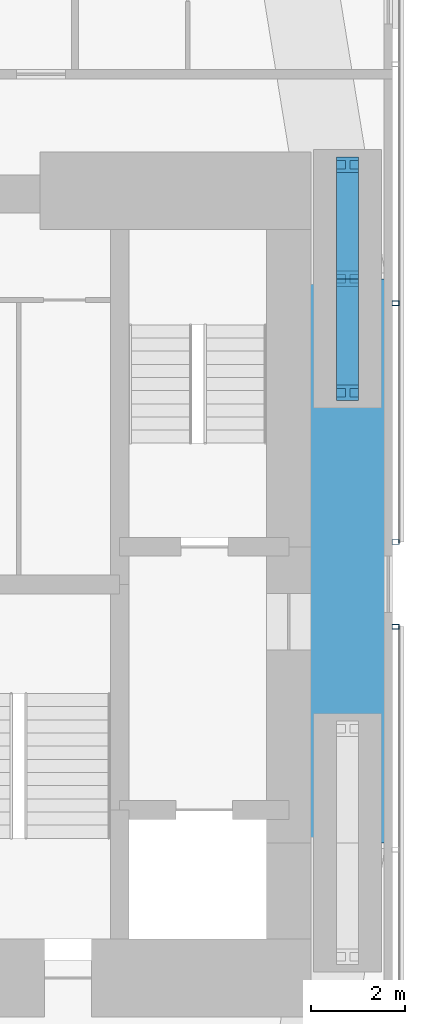
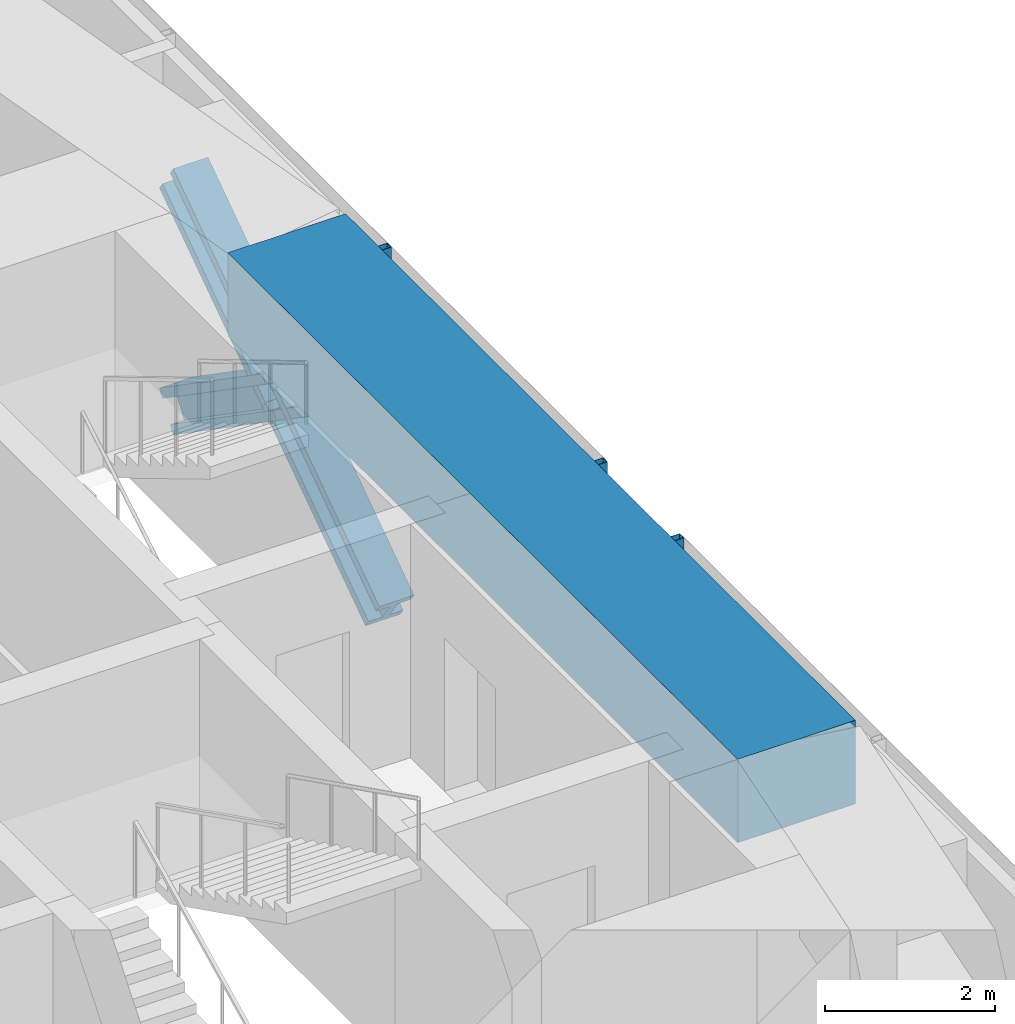
# One storey, part 10 of 24: 7 members, 1 beam, 2 elements without a shape of their own.
"""IFC4 building model written with IfcOpenShell, lengths in metres."""

from ifc_helpers import new_model, si_unit, direction, frame, origin, origin_2d, place, context, subcontext, project, spatial, rectangle, hollow_rectangle, i_section, extrude, material, material_profile, profile_set, type_object, element, aggregate, save


model = new_model("IFC4")

# Units and contexts
model_context = context("Model", 3, precision=1e-05, world=origin(), true_north=direction((0.0, 1.0)))
body_context = subcontext(model_context, "Body", "Model", "MODEL_VIEW")
ifc_project = project(units=[si_unit("LENGTHUNIT", "METRE"), si_unit("AREAUNIT", "SQUARE_METRE"), si_unit("VOLUMEUNIT", "CUBIC_METRE"), si_unit("PLANEANGLEUNIT", "RADIAN"), si_unit("MASSUNIT", "GRAM", prefix="KILO")], contexts=[model_context])

# Site, building, storey
site_placement = place(None, origin())
site = spatial("IfcSite", under=ifc_project, at=site_placement, CompositionType="ELEMENT")
building_placement = place(site_placement, origin())
building = spatial("IfcBuilding", under=site, at=building_placement, Name="Jalousie Tower", CompositionType="ELEMENT")
storey_placement = place(building_placement, frame((0.0, 0.0, 47.800048828125)))
storey = spatial("IfcBuildingStorey", under=building, at=storey_placement, Name="L12", CompositionType="ELEMENT", Elevation=47.800048828125)

# Members
ifc_material_1 = material(Name="Steel ASTM A992 Grade 50", Category="steel")
ifc_material_profile_1 = material_profile(ifc_material_1, i_section(OverallWidth=0.472412109375, OverallDepth=0.5791015625, WebThickness=0.094970703125, FlangeThickness=0.1298828125, at=origin_2d()), Name="W14X808")
ifc_profile_set_1 = profile_set([ifc_material_profile_1], Name="Steel ASTM A992 Grade 50")
member_type_1 = type_object("IfcMemberType", Name="PERIMETER BRACE W14X808", PredefinedType="BRACE", material=ifc_profile_set_1)
for number, where, z_axis, x_axis, name in (
    (1, (45.050048828125, 22.574951171875, -0.60009765625), (0.0, 0.822800062329, 0.568330940062), (-1.0, 0.0, 0.0), "Perimeter brace 07 L12 part 1"),
    (2, (45.050048828125, 25.0, 1.074951171875), (0.0, 0.822800062329, 0.568330940062), (-1.0, 0.0, 0.0), "Perimeter brace 07 L12 part 2"),
    (3, (45.050048828125, 27.425048828125, -0.60009765625), (0.0, -0.822800062329, 0.568330940062), (1.0, 0.0, 0.0), "Perimeter brace 07 L12 part 3"),
    (4, (45.050048828125, 25.0, 1.074951171875), (0.0, -0.822800062329, 0.568330940062), (1.0, 0.0, 0.0), "Perimeter brace 07 L12 part 4"),
):
    element("IfcMember", number, at=place(storey_placement, frame(where, z_axis=z_axis, x_axis=x_axis)), inside=storey, type_object=member_type_1, Name=name, PredefinedType="BRACE", context=body_context, shape_type="SweptSolid", body=[
        extrude(i_section(OverallWidth=0.472412109375, OverallDepth=0.5791015625, WebThickness=0.094970703125, FlangeThickness=0.1298828125, at=origin_2d()), origin(), (0.0, 0.0, 1.0), 2.947265625),
    ])

# Beam
ifc_material_2 = material(Name="Concrete f'c 40 MPa", Category="concrete")
ifc_material_profile_2 = material_profile(ifc_material_2, rectangle(XDim=1.60009765625, YDim=1.199951171875, at=origin_2d()), Name="RC 1600x1200")
ifc_profile_set_2 = profile_set([ifc_material_profile_2], Name="Concrete f'c 40 MPa")
beam_type = type_object("IfcBeamType", Name="RC BEAM 1600x1200", PredefinedType="BEAM", material=ifc_profile_set_2)
beam_placement = place(storey_placement, frame((45.050048828125, 13.0, 2.75), z_axis=(0.0, 1.0, 0.0), x_axis=(-1.0, 0.0, 0.0)))
element("IfcBeam", 5, at=beam_placement, inside=storey, type_object=beam_type, Name="Edge band beam 06-07 under L13", PredefinedType="BEAM", context=body_context, shape_type="SweptSolid", body=[
    extrude(rectangle(XDim=1.60009765625, YDim=1.199951171875, at=origin_2d()), origin(), (0.0, 0.0, 1.0), 12.0),
])

# Curtain wall, member
ifc_material_3 = material(Name="Perforated aluminium sheet", Category="aluminium")
curtain_wall_type = type_object("IfcCurtainWallType", Name="SOLAR SCREEN SS-1", PredefinedType="USERDEFINED", material=ifc_material_3)
curtain_wall_1_placement = place(storey_placement, origin())
curtain_wall_1 = element("IfcCurtainWall", 6, at=curtain_wall_1_placement, inside=storey, type_object=curtain_wall_type, Name="Solar screen L12", ObjectType="SOLAR SCREEN SS-1", PredefinedType="USERDEFINED")
ifc_material_4 = material(Name="Steel ASTM A500 Grade C", Category="steel")
ifc_material_profile_3 = material_profile(ifc_material_4, hollow_rectangle(XDim=0.1015625, YDim=0.15234375, WallThickness=0.00634765625, at=origin_2d()), Name="HSS6X4X1/4")
ifc_profile_set_3 = profile_set([ifc_material_profile_3], Name="Steel ASTM A500 Grade C")
member_type_2 = type_object("IfcMemberType", Name="SOLAR SCREEN SS-1 MULLION", PredefinedType="MULLION", material=ifc_profile_set_3)
member_1_placement = place(storey_placement, frame((46.0712890625, 17.60009765625, -0.1201171875), z_axis=(0.0, 0.0, 1.0), x_axis=(0.0, 1.0, 0.0)))
member_1 = element("IfcMember", 7, at=member_1_placement, type_object=member_type_2, Name="SS1 post 4", PredefinedType="MULLION", context=body_context, shape_type="SweptSolid", body=[
    extrude(hollow_rectangle(XDim=0.1015625, YDim=0.15234375, WallThickness=0.00634765625, at=origin_2d()), origin(), (0.0, 0.0, 1.0), 3.22998046875),
])
aggregate(curtain_wall_1, [member_1])

# Curtain wall, members
curtain_wall_2_placement = place(storey_placement, origin())
curtain_wall_2 = element("IfcCurtainWall", 8, at=curtain_wall_2_placement, inside=storey, type_object=curtain_wall_type, Name="Solar screen L12", ObjectType="SOLAR SCREEN SS-1", PredefinedType="USERDEFINED")
member_2_placement = place(storey_placement, frame((46.0712890625, 19.39990234375, -0.1201171875), z_axis=(0.0, 0.0, 1.0), x_axis=(0.0, 1.0, 0.0)))
member_2 = element("IfcMember", 9, at=member_2_placement, type_object=member_type_2, Name="SS1 post 1", PredefinedType="MULLION", context=body_context, shape_type="SweptSolid", body=[
    extrude(hollow_rectangle(XDim=0.1015625, YDim=0.15234375, WallThickness=0.00634765625, at=origin_2d()), origin(), (0.0, 0.0, 1.0), 3.22998046875),
])
member_3_placement = place(storey_placement, frame((46.0712890625, 24.48291015625, -0.1201171875), z_axis=(0.0, 0.0, 1.0), x_axis=(0.0, 1.0, 0.0)))
member_3 = element("IfcMember", 10, at=member_3_placement, type_object=member_type_2, Name="SS1 post 2", PredefinedType="MULLION", context=body_context, shape_type="SweptSolid", body=[
    extrude(hollow_rectangle(XDim=0.1015625, YDim=0.15234375, WallThickness=0.00634765625, at=origin_2d()), origin(), (0.0, 0.0, 1.0), 3.22998046875),
])
aggregate(curtain_wall_2, [member_2, member_3])

save(model, "model.ifc")
